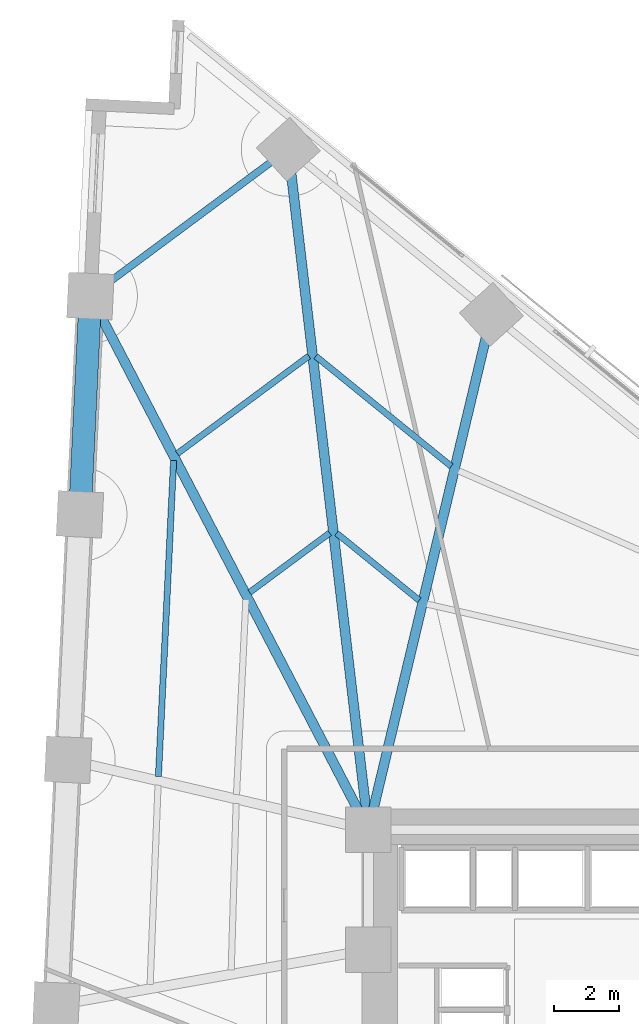
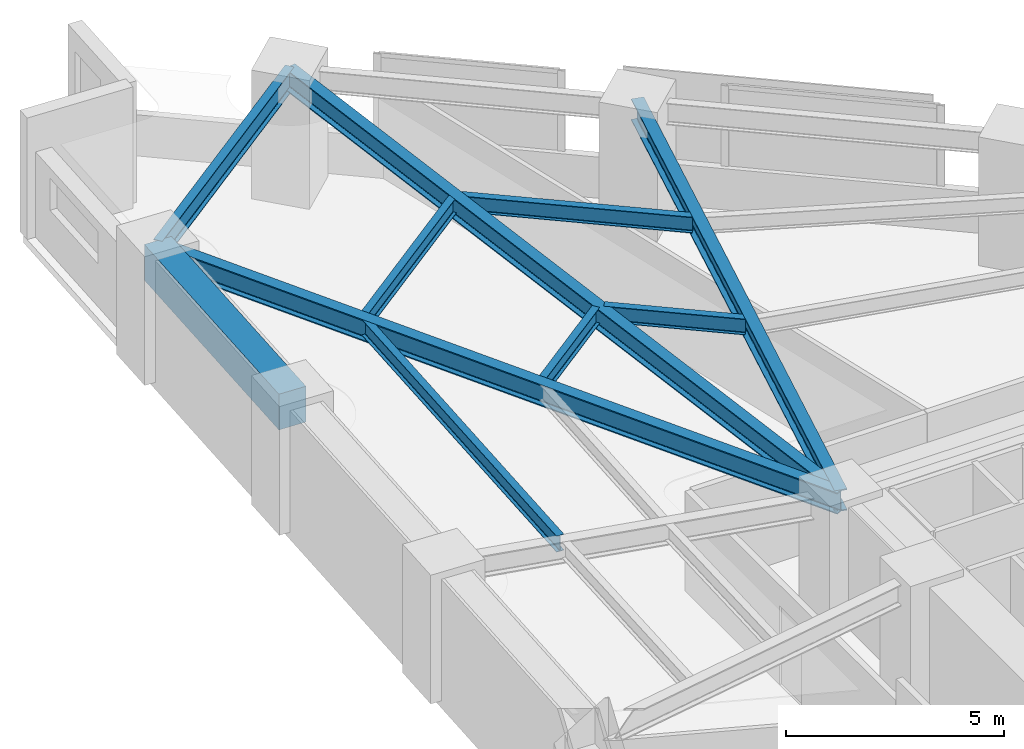
# One storey, part 8 of 17: 10 beams.
"""IFC4 building model written with IfcOpenShell, lengths in metres."""

from ifc_helpers import new_model, si_unit, direction, frame, origin, origin_2d, place, context, subcontext, project, spatial, rectangle, i_section, extrude, material, material_profile, profile_set, type_object, element, save


model = new_model("IFC4")

# Units and contexts
model_context = context("Model", 3, precision=1e-05, world=origin(), true_north=direction((0.0, 1.0)))
body_context = subcontext(model_context, "Body", "Model", "MODEL_VIEW")
ifc_project = project(units=[si_unit("LENGTHUNIT", "METRE"), si_unit("AREAUNIT", "SQUARE_METRE"), si_unit("VOLUMEUNIT", "CUBIC_METRE"), si_unit("PLANEANGLEUNIT", "RADIAN"), si_unit("MASSUNIT", "GRAM", prefix="KILO")], contexts=[model_context])

# Site, building, storey
site_placement = place(None, origin())
site = spatial("IfcSite", under=ifc_project, at=site_placement, CompositionType="ELEMENT")
building_placement = place(site_placement, origin())
building = spatial("IfcBuilding", under=site, at=building_placement, Name="Narakoshi Arena Tower", CompositionType="ELEMENT")
storey_placement = place(building_placement, frame((0.0, 0.0, 51.89990234375)))
storey = spatial("IfcBuildingStorey", under=building, at=storey_placement, Name="L13", CompositionType="ELEMENT", Elevation=51.89990234375)

# Beams
ifc_material_1 = material(Name="Concrete C60/75", Category="concrete")
ifc_material_profile_1 = material_profile(ifc_material_1, rectangle(XDim=0.699951171875, YDim=1.0, at=origin_2d()), Name="RCB700x1000")
ifc_profile_set_1 = profile_set([ifc_material_profile_1], Name="Concrete C60/75")
beam_type_1 = type_object("IfcBeamType", Name="BM-CPL-1000", PredefinedType="BEAM", material=ifc_profile_set_1)
beam_1_placement = place(storey_placement, frame((63.42822265625, 72.95654296875, 2.900146484375), z_axis=(-0.047987034988, -0.998847958637, 0.0), x_axis=(0.998847958637, -0.047987034988, 0.0)))
element("IfcBeam", 1, at=beam_1_placement, inside=storey, type_object=beam_type_1, Name="L13 Perimeter Edge Girder 13", PredefinedType="BEAM", context=body_context, shape_type="SweptSolid", body=[
    extrude(rectangle(XDim=0.699951171875, YDim=1.0, at=origin_2d()), origin(), (0.0, 0.0, 1.0), 6.736083984375),
])
ifc_material_2 = material(Name="Structural steel S355J2", Category="steel")
ifc_material_profile_2 = material_profile(ifc_material_2, i_section(OverallWidth=0.219970703125, OverallDepth=0.60009765625, WebThickness=0.011962890625, FlangeThickness=0.01904296875, FilletRadius=0.02392578125, at=origin_2d()), Name="IPE600")
ifc_profile_set_2 = profile_set([ifc_material_profile_2], Name="Structural steel S355J2")
beam_type_2 = type_object("IfcBeamType", Name="BM-EDGE-600", PredefinedType="BEAM", material=ifc_profile_set_2)
beam_2_placement = place(storey_placement, frame((69.531005859375, 77.483154296875, 3.10009765625), z_axis=(-0.80317737809, -0.595739959482, 0.0), x_axis=(0.595739959482, -0.80317737809, 0.0)))
element("IfcBeam", 2, at=beam_2_placement, inside=storey, type_object=beam_type_2, Name="L13 Perimeter Edge Girder 12", PredefinedType="BEAM", context=body_context, shape_type="SweptSolid", body=[
    extrude(i_section(OverallWidth=0.219970703125, OverallDepth=0.60009765625, WebThickness=0.011962890625, FlangeThickness=0.01904296875, FilletRadius=0.02392578125, at=origin_2d()), origin(), (0.0, 0.0, 1.0), 7.598388671875),
])
ifc_material_profile_3 = material_profile(ifc_material_2, i_section(OverallWidth=0.300048828125, OverallDepth=0.60009765625, WebThickness=0.015380859375, FlangeThickness=0.030029296875, FilletRadius=0.027099609375, at=origin_2d()), Name="HE600B")
ifc_profile_set_3 = profile_set([ifc_material_profile_3], Name="Structural steel S355J2")
beam_type_3 = type_object("IfcBeamType", Name="BM-PRI-600", PredefinedType="BEAM", material=ifc_profile_set_3)
beam_3_placement = place(storey_placement, frame((72.0, 56.5, 3.10009765625), z_axis=(0.23221708245, 0.972663984436, 0.0), x_axis=(-0.972663984436, 0.23221708245, 0.0)))
element("IfcBeam", 3, at=beam_3_placement, inside=storey, type_object=beam_type_3, Name="L13 Radial Primary Floor Girder 11", PredefinedType="BEAM", context=body_context, shape_type="SweptSolid", body=[
    extrude(i_section(OverallWidth=0.300048828125, OverallDepth=0.60009765625, WebThickness=0.015380859375, FlangeThickness=0.030029296875, FilletRadius=0.027099609375, at=origin_2d()), origin(), (0.0, 0.0, 1.0), 16.3388671875),
])
beam_4_placement = place(storey_placement, frame((72.0, 56.5, 3.10009765625), z_axis=(-0.11685934963, 0.993148474501, 0.0), x_axis=(-0.993148474501, -0.11685934963, 0.0)))
element("IfcBeam", 4, at=beam_4_placement, inside=storey, type_object=beam_type_3, Name="L13 Radial Primary Floor Girder 12", PredefinedType="BEAM", context=body_context, shape_type="SweptSolid", body=[
    extrude(i_section(OverallWidth=0.300048828125, OverallDepth=0.60009765625, WebThickness=0.015380859375, FlangeThickness=0.030029296875, FilletRadius=0.027099609375, at=origin_2d()), origin(), (0.0, 0.0, 1.0), 21.1279296875),
])
beam_5_placement = place(storey_placement, frame((72.0, 56.5, 3.10009765625), z_axis=(-0.461962449766, 0.886899484162, 0.0), x_axis=(-0.886899484162, -0.461962449766, 0.0)))
element("IfcBeam", 5, at=beam_5_placement, inside=storey, type_object=beam_type_3, Name="L13 Radial Primary Floor Girder 13", PredefinedType="BEAM", context=body_context, shape_type="SweptSolid", body=[
    extrude(i_section(OverallWidth=0.300048828125, OverallDepth=0.60009765625, WebThickness=0.015380859375, FlangeThickness=0.030029296875, FilletRadius=0.027099609375, at=origin_2d()), origin(), (0.0, 0.0, 1.0), 18.55517578125),
])
ifc_material_profile_4 = material_profile(ifc_material_2, i_section(OverallWidth=0.18994140625, OverallDepth=0.449951171875, WebThickness=0.009521484375, FlangeThickness=0.0146484375, FilletRadius=0.02099609375, at=origin_2d()), Name="IPE450")
ifc_profile_set_4 = profile_set([ifc_material_profile_4], Name="Structural steel S355J2")
beam_type_4 = type_object("IfcBeamType", Name="BM-SEC-450", PredefinedType="JOIST", material=ifc_profile_set_4)
beam_6_placement = place(storey_placement, frame((73.564697265625, 63.577880859375, 3.175048828125), z_axis=(-0.77601840583, 0.630710261383, 0.0), x_axis=(-0.630710261383, -0.77601840583, 0.0)))
element("IfcBeam", 6, at=beam_6_placement, inside=storey, type_object=beam_type_4, Name="L13 Composite Secondary Floor Joist 09", PredefinedType="JOIST", context=body_context, shape_type="SweptSolid", body=[
    extrude(i_section(OverallWidth=0.18994140625, OverallDepth=0.449951171875, WebThickness=0.009521484375, FlangeThickness=0.0146484375, FilletRadius=0.02099609375, at=origin_2d()), origin(), (0.0, 0.0, 1.0), 3.28125),
])
beam_7_placement = place(storey_placement, frame((74.55126953125, 67.709716796875, 3.175048828125), z_axis=(-0.775997387035, 0.630736121778, 0.0), x_axis=(-0.630736121778, -0.775997387035, 0.0)))
element("IfcBeam", 7, at=beam_7_placement, inside=storey, type_object=beam_type_4, Name="L13 Composite Secondary Floor Joist 10", PredefinedType="JOIST", context=body_context, shape_type="SweptSolid", body=[
    extrude(i_section(OverallWidth=0.18994140625, OverallDepth=0.449951171875, WebThickness=0.009521484375, FlangeThickness=0.0146484375, FilletRadius=0.02099609375, at=origin_2d()), origin(), (0.0, 0.0, 1.0), 5.3798828125),
])
beam_8_placement = place(storey_placement, frame((70.80517578125, 65.652099609375, 3.175048828125), z_axis=(-0.803172826668, -0.595746095666, 0.0), x_axis=(0.595746095666, -0.803172826668, 0.0)))
element("IfcBeam", 8, at=beam_8_placement, inside=storey, type_object=beam_type_4, Name="L13 Composite Secondary Floor Joist 11", PredefinedType="JOIST", context=body_context, shape_type="SweptSolid", body=[
    extrude(i_section(OverallWidth=0.18994140625, OverallDepth=0.449951171875, WebThickness=0.009521484375, FlangeThickness=0.0146484375, FilletRadius=0.02099609375, at=origin_2d()), origin(), (0.0, 0.0, 1.0), 3.0732421875),
])
beam_9_placement = place(storey_placement, frame((70.163330078125, 71.10791015625, 3.175048828125), z_axis=(-0.803180127116, -0.595736253225, 0.0), x_axis=(0.595736253225, -0.803180127116, 0.0)))
element("IfcBeam", 9, at=beam_9_placement, inside=storey, type_object=beam_type_4, Name="L13 Composite Secondary Floor Joist 12", PredefinedType="JOIST", context=body_context, shape_type="SweptSolid", body=[
    extrude(i_section(OverallWidth=0.18994140625, OverallDepth=0.449951171875, WebThickness=0.009521484375, FlangeThickness=0.0146484375, FilletRadius=0.02099609375, at=origin_2d()), origin(), (0.0, 0.0, 1.0), 5.048828125),
])
beam_10_placement = place(storey_placement, frame((65.993408203125, 67.884765625, 3.175048828125), z_axis=(-0.047976776959, -0.998848451404, 0.0), x_axis=(0.998848451404, -0.047976776959, 0.0)))
element("IfcBeam", 10, at=beam_10_placement, inside=storey, type_object=beam_type_4, Name="L13 Composite Secondary Floor Joist 14", PredefinedType="JOIST", context=body_context, shape_type="SweptSolid", body=[
    extrude(i_section(OverallWidth=0.18994140625, OverallDepth=0.449951171875, WebThickness=0.009521484375, FlangeThickness=0.0146484375, FilletRadius=0.02099609375, at=origin_2d()), origin(), (0.0, 0.0, 1.0), 9.75),
])

save(model, "model.ifc")
